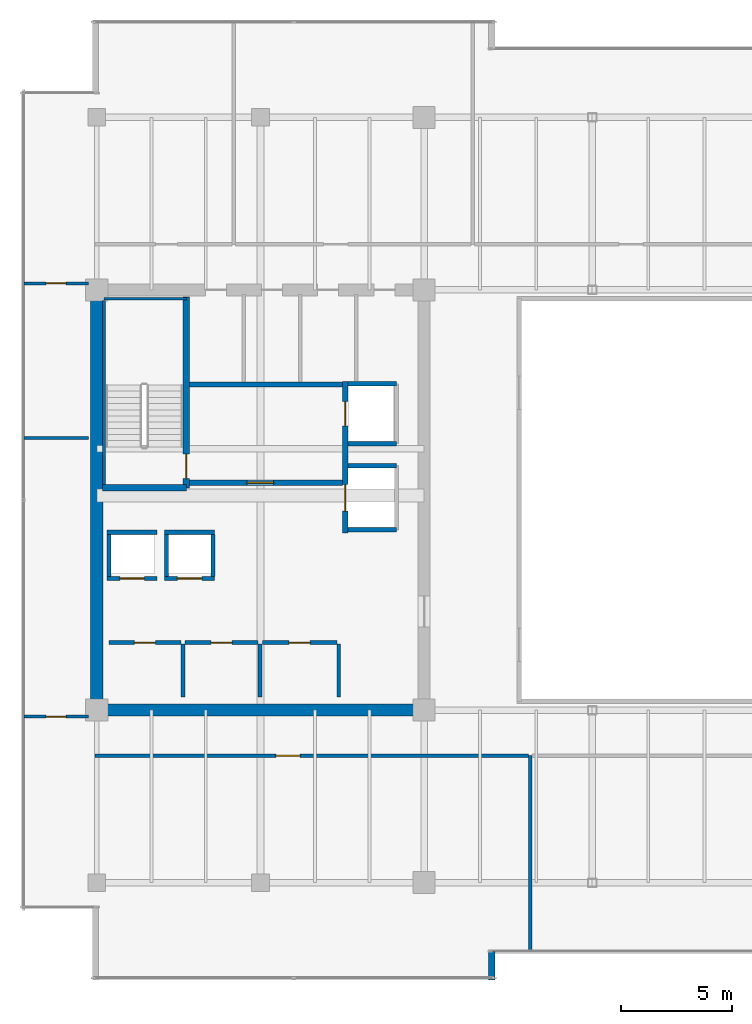
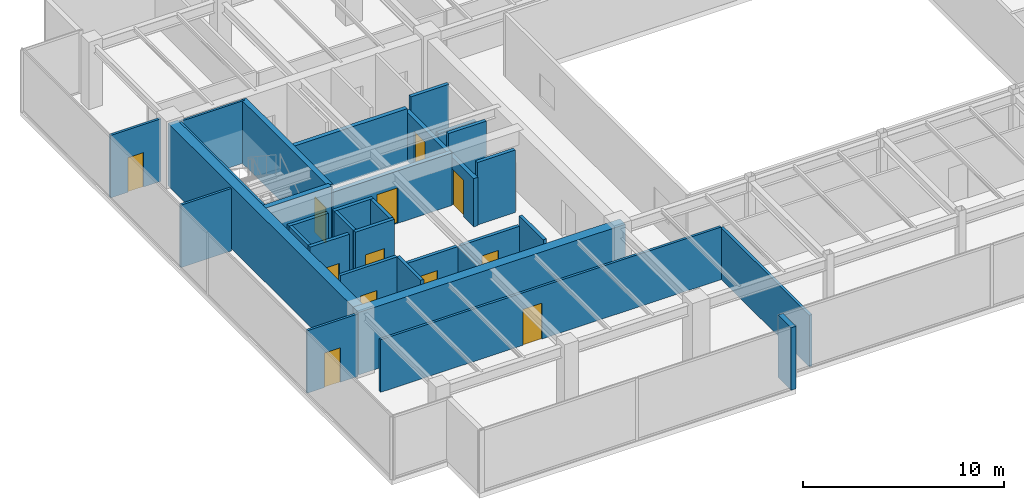
# One storey, part 28 of 33: 32 walls, 12 doors, 12 openings.
"""IFC4 building model written with IfcOpenShell, lengths in metres."""

import ifcopenshell
import ifcopenshell.guid

model = None  # the IFC model being written
_history = None  # IfcOwnerHistory: only IFC2X3 demands one
_inside = {}  # id of a spatial element -> (the spatial element, [elements in it])
_under = {}  # id of a project, library or spatial element -> (it, [spatial elements below it])
_declared = {}  # id of a project -> (the project, [libraries it declares])
_typed = {}  # id of a type object -> (the type object, [elements of that type])
_made_of = {}  # id of a material, layer set ... -> (it, [elements and type objects made of it])


def new_model(schema):
    """Start an empty IFC model of exactly this schema.

    Asked for "IFC4X3", IfcOpenShell would pick the latest addendum, in which some entities
    have other attributes; the version numbers below select the first issue.
    IFC2X3 requires an IfcOwnerHistory on every rooted entity: one is made here for all.
    """
    global model, _history
    if schema == "IFC4X3":
        model = ifcopenshell.file(schema_version=(4, 3, 0, 0))
    else:
        model = ifcopenshell.file(schema=schema)
    _inside.clear()
    _under.clear()
    _declared.clear()
    _typed.clear()
    _made_of.clear()
    _history = None
    if model.schema == "IFC2X3":
        org = make("IfcOrganization", Name="unknown")
        user = make(
            "IfcPersonAndOrganization",
            ThePerson=make("IfcPerson", FamilyName="unknown"),
            TheOrganization=org,
        )
        app = make(
            "IfcApplication",
            ApplicationDeveloper=org,
            Version="unknown",
            ApplicationFullName="unknown",
            ApplicationIdentifier="unknown",
        )
        _history = make(
            "IfcOwnerHistory",
            OwningUser=user,
            OwningApplication=app,
            ChangeAction="ADDED",
            CreationDate=0,
        )
    return model


def make(cls, **values):
    """One entity of the class cls with the attributes given. An attribute that is None is left unset."""
    return model.create_entity(
        cls, **{name: value for name, value in values.items() if value is not None}
    )


def rooted(cls, **values):
    """An entity with a GlobalId (a new one), such as an element, a storey or a relation."""
    return make(cls, GlobalId=ifcopenshell.guid.new(), OwnerHistory=_history, **values)


def si_unit(unit_type, name, prefix=None):
    """IfcSIUnit, for example si_unit("LENGTHUNIT", "METRE", prefix="MILLI")."""
    return make("IfcSIUnit", UnitType=unit_type, Prefix=prefix, Name=name)


def assignment(units):
    """IfcUnitAssignment: the units of a project."""
    return None if units is None else make("IfcUnitAssignment", Units=units)


def point(xyz):
    """IfcCartesianPoint."""
    return None if xyz is None else make("IfcCartesianPoint", Coordinates=xyz)


def direction(xyz):
    """IfcDirection."""
    return None if xyz is None else make("IfcDirection", DirectionRatios=xyz)


def frame(location, z_axis=None, x_axis=None):
    """IfcAxis2Placement3D, a coordinate frame: its origin and axes. An axis left out is left unset."""
    return make(
        "IfcAxis2Placement3D",
        Location=point(location),
        Axis=direction(z_axis),
        RefDirection=direction(x_axis),
    )


def frame_2d(location, x_axis=None):
    """IfcAxis2Placement2D, a coordinate frame in the plane: its origin and x axis."""
    return make(
        "IfcAxis2Placement2D", Location=point(location), RefDirection=direction(x_axis)
    )


def origin():
    """The frame at (0, 0, 0) with its axes left unset."""
    return frame((0.0, 0.0, 0.0))


def place(relative_to, where):
    """IfcLocalPlacement: puts the frame where relative to a parent placement (None: the world)."""
    return make(
        "IfcLocalPlacement", PlacementRelTo=relative_to, RelativePlacement=where
    )


def context(
    kind, dimensions, precision=None, world=None, true_north=None, identifier=None
):
    """IfcGeometricRepresentationContext, for example the 3D "Model" context."""
    return make(
        "IfcGeometricRepresentationContext",
        ContextIdentifier=identifier,
        ContextType=kind,
        CoordinateSpaceDimension=dimensions,
        Precision=precision,
        WorldCoordinateSystem=world,
        TrueNorth=true_north,
    )


def subcontext(parent, identifier, kind, view, scale=None):
    """IfcGeometricRepresentationSubContext, for example "Body" below "Model"."""
    return make(
        "IfcGeometricRepresentationSubContext",
        ContextIdentifier=identifier,
        ContextType=kind,
        ParentContext=parent,
        TargetScale=scale,
        TargetView=view,
    )


def project(units=None, contexts=None):
    """IfcProject with its units and contexts."""
    return rooted(
        "IfcProject",
        Name="project",
        RepresentationContexts=contexts,
        UnitsInContext=assignment(units),
    )


def spatial(cls, under=None, at=None, **own):
    """A site, building, storey or space (cls), placed at a placement, below another one or the project."""
    s = rooted(cls, ObjectPlacement=at, **own)
    if under is not None:
        _under.setdefault(under.id(), (under, []))[1].append(s)
    return s


def profile(cls, at=None, kind="AREA", **sizes):
    """A parametric profile (cls). Its sizes go by their IFC names, for example OverallWidth=200.0."""
    return make(cls, ProfileType=kind, Position=at, **sizes)


def rectangle(**sizes):
    """IfcRectangleProfileDef."""
    return profile("IfcRectangleProfileDef", **sizes)


def extrude(swept, where, along, depth):
    """IfcExtrudedAreaSolid: the profile swept, set in the frame where, extruded along a direction by depth."""
    return make(
        "IfcExtrudedAreaSolid",
        SweptArea=swept,
        Position=where,
        ExtrudedDirection=direction(along),
        Depth=depth,
    )


def shape(context_of_items, identifier, shape_type, items):
    """IfcShapeRepresentation: the items that make up one representation, for example the "Body"."""
    return make(
        "IfcShapeRepresentation",
        ContextOfItems=context_of_items,
        RepresentationIdentifier=identifier,
        RepresentationType=shape_type,
        Items=items,
    )


def source(mapping_origin, context_of_items, identifier, shape_type, items):
    """IfcRepresentationMap: a shape defined once, which mapped items show again and again."""
    return make(
        "IfcRepresentationMap",
        MappingOrigin=mapping_origin,
        MappedRepresentation=shape(context_of_items, identifier, shape_type, items),
    )


def transform(
    local_origin,
    x_axis=None,
    y_axis=None,
    z_axis=None,
    scale=None,
    scale2=None,
    scale3=None,
    uniform=True,
):
    """IfcCartesianTransformationOperator3D, or its non-uniform kind. x_axis, y_axis, z_axis: its Axis1, 2, 3."""
    if uniform:
        return make(
            "IfcCartesianTransformationOperator3D",
            Axis1=direction(x_axis),
            Axis2=direction(y_axis),
            LocalOrigin=point(local_origin),
            Scale=scale,
            Axis3=direction(z_axis),
        )
    return make(
        "IfcCartesianTransformationOperator3DnonUniform",
        Axis1=direction(x_axis),
        Axis2=direction(y_axis),
        LocalOrigin=point(local_origin),
        Scale=scale,
        Axis3=direction(z_axis),
        Scale2=scale2,
        Scale3=scale3,
    )


def mapped(mapping_source, mapping_target):
    """IfcMappedItem: shows the shape of a source again, moved by a transform."""
    return make(
        "IfcMappedItem", MappingSource=mapping_source, MappingTarget=mapping_target
    )


def material(Name=None, Category=None):
    """IfcMaterial."""
    return make("IfcMaterial", Name=Name, Category=Category)


def layer(
    of_material, thickness, ventilated=None, Name=None, Category=None, Priority=None
):
    """IfcMaterialLayer: one layer of a wall or slab, of a material (None: an air gap)."""
    return make(
        "IfcMaterialLayer",
        Material=of_material,
        LayerThickness=thickness,
        IsVentilated=ventilated,
        Name=Name,
        Category=Category,
        Priority=Priority,
    )


def layer_set(layers, Name=None):
    """IfcMaterialLayerSet."""
    return make("IfcMaterialLayerSet", MaterialLayers=layers, LayerSetName=Name)


def made_of(thing, what):
    """Note that an element or type object is made of a material, layer set ...; save() writes the relation."""
    if what is not None:
        _made_of.setdefault(what.id(), (what, []))[1].append(thing)
    return thing


def type_object(cls, material=None, **own):
    """A type object (cls), such as IfcWallType, which elements share."""
    return made_of(rooted(cls, **own), material)


def type_shapes(of_type, sources):
    """Give a type object the sources (RepresentationMaps) that its elements show as mapped items."""
    of_type.RepresentationMaps = sources


def element(
    cls,
    number,
    at=None,
    inside=None,
    cuts=None,
    type_object=None,
    material=None,
    context=None,
    identifier="Body",
    shape_type=None,
    held_by="IfcProductDefinitionShape",
    body=None,
    shapes=None,
    **own,
):
    """One element of the class cls, such as IfcWall. Its Tag is "e" and its number.

    at: its placement. inside: the storey or other place that contains it. cuts: it is an
    opening in that element (IfcRelVoidsElement). A single representation is given by context,
    identifier, shape_type and body (its items); several are given by shapes. held_by: the class
    of the entity that holds the representations. save() writes the other relations.
    """
    e = rooted(cls, Tag="e%d" % number, ObjectPlacement=at, **own)
    if body is not None:
        shapes = [shape(context, identifier, shape_type, body)]
    if shapes is not None:
        e.Representation = make(held_by, Representations=shapes)
    if inside is not None:
        _inside.setdefault(inside.id(), (inside, []))[1].append(e)
    if cuts is not None:
        rooted(
            "IfcRelVoidsElement", RelatingBuildingElement=cuts, RelatedOpeningElement=e
        )
    if type_object is not None:
        _typed.setdefault(type_object.id(), (type_object, []))[1].append(e)
    return made_of(e, material)


def fill(opening, filler):
    """IfcRelFillsElement: the door or window that sits in an opening."""
    return rooted(
        "IfcRelFillsElement",
        RelatingOpeningElement=opening,
        RelatedBuildingElement=filler,
    )


def aggregate(whole, parts):
    """IfcRelAggregates: a whole, such as a stair, and the parts it consists of."""
    return rooted("IfcRelAggregates", RelatingObject=whole, RelatedObjects=parts)


def save(model, path):
    """Write the relations noted so far, then the file.

    IfcRelAggregates (storeys below a building ...), IfcRelContainedInSpatialStructure (elements
    in a storey), IfcRelDefinesByType, IfcRelAssociatesMaterial and IfcRelDeclares: one each for
    every whole, place, type object, material and project.
    """
    for whole, parts in _under.values():
        aggregate(whole, parts)
    for where, things in _inside.values():
        rooted(
            "IfcRelContainedInSpatialStructure",
            RelatedElements=things,
            RelatingStructure=where,
        )
    for kind, things in _typed.values():
        rooted("IfcRelDefinesByType", RelatedObjects=things, RelatingType=kind)
    for what, things in _made_of.values():
        rooted("IfcRelAssociatesMaterial", RelatedObjects=things, RelatingMaterial=what)
    for by, libraries in _declared.values():
        rooted("IfcRelDeclares", RelatingContext=by, RelatedDefinitions=libraries)
    model.write(path)


model = new_model("IFC4")

# Units and contexts
model_context = context("Model", 3, precision=1e-05, world=origin(), true_north=direction((0.0, 1.0)))
body_context = subcontext(model_context, "Body", "Model", "MODEL_VIEW")
ifc_project = project(units=[si_unit("LENGTHUNIT", "METRE"), si_unit("AREAUNIT", "SQUARE_METRE"), si_unit("VOLUMEUNIT", "CUBIC_METRE"), si_unit("PLANEANGLEUNIT", "RADIAN"), si_unit("MASSUNIT", "GRAM", prefix="KILO")], contexts=[model_context])

# Site, building, storey
site_placement = place(None, origin())
site = spatial("IfcSite", under=ifc_project, at=site_placement, CompositionType="ELEMENT")
building_placement = place(site_placement, origin())
building = spatial("IfcBuilding", under=site, at=building_placement, Name="Haelvirn Gate Laboratories", CompositionType="ELEMENT")
storey_placement = place(building_placement, frame((0.0, 0.0, 275.199951171875)))
storey = spatial("IfcBuildingStorey", under=building, at=storey_placement, Name="L66", CompositionType="ELEMENT", Elevation=275.199951171875)

# Walls
ifc_material_1 = material(Name="Thermally-broken bronze aluminium rainscreen & mineral wool", Category="aluminium")
ifc_layer_1 = layer(ifc_material_1, 0.280029296875, Name="EW-TERR-280")
ifc_layer_set_1 = layer_set([ifc_layer_1], Name="Thermally-broken bronze aluminium rainscreen & mineral wool")
wall_type_1 = type_object("IfcWallType", Name="EW-TERR-280", PredefinedType="STANDARD", material=ifc_layer_set_1)
wall_1_placement = place(storey_placement, frame((25.260009765625, 2.60009765625, 0.0), z_axis=(0.0, 0.0, 1.0), x_axis=(0.0, 1.0, 0.0)))
element("IfcWall", 1, at=wall_1_placement, inside=storey, type_object=wall_type_1, Name="L66 Atrium Recess Bronze Return Wall 01", PredefinedType="STANDARD", context=body_context, shape_type="SweptSolid", body=[
    extrude(rectangle(XDim=1.29296875, YDim=0.280029296875, at=frame_2d((0.646484375, 0.0))), origin(), (0.0, 0.0, 1.0), 3.800048828125),
])
ifc_material_2 = material(Name="Double-layer acoustic gypsum laboratory partition", Category="gypsum")
ifc_layer_2 = layer(ifc_material_2, 0.159912109375, Name="IW-ACOUST-160")
ifc_layer_set_2 = layer_set([ifc_layer_2], Name="Double-layer acoustic gypsum laboratory partition")
wall_type_2 = type_object("IfcWallType", Name="IW-ACOUST-160", PredefinedType="PARTITIONING", material=ifc_layer_set_2)
wall_2_placement = place(storey_placement, frame((27.0, 3.909912109375, 0.0), z_axis=(0.0, 0.0, 1.0), x_axis=(0.0, 1.0, 0.0)))
element("IfcWall", 2, at=wall_2_placement, inside=storey, type_object=wall_type_2, Name="L66 Interior Wall IW-L66-SDIV-01", PredefinedType="PARTITIONING", context=body_context, shape_type="SweptSolid", body=[
    extrude(rectangle(XDim=8.830078125, YDim=0.159912109375, at=frame_2d((4.4150390625, 0.0))), origin(), (0.0, 0.0, 1.0), 3.135009765625),
])

# Wall, opening, door
ifc_material_3 = material(Name="Acoustic mineral-wool gypsum board partition", Category="gypsum")
ifc_layer_3 = layer(ifc_material_3, 0.139892578125, Name="IW-PART-140")
ifc_layer_set_3 = layer_set([ifc_layer_3], Name="Acoustic mineral-wool gypsum board partition")
wall_type_3 = type_object("IfcWallType", Name="IW-PART-140", PredefinedType="PARTITIONING", material=ifc_layer_set_3)
wall_3_placement = place(storey_placement, frame((7.31005859375, 12.739990234375, 0.0), z_axis=(0.0, 0.0, 1.0), x_axis=(1.0, 0.0, 0.0)))
wall_3 = element("IfcWall", 3, at=wall_3_placement, inside=storey, type_object=wall_type_3, Name="L66 Interior Wall IW-L66-SCORR-01", PredefinedType="PARTITIONING", context=body_context, shape_type="SweptSolid", body=[
    extrude(rectangle(XDim=19.60986328125, YDim=0.139892578125, at=frame_2d((9.804931640625, 0.0))), origin(), (0.0, 0.0, 1.0), 3.197021484375),
])
opening_1_placement = place(wall_3_placement, frame((8.186279296875, 0.0, 0.0)))
opening_1 = element("IfcOpeningElement", 4, at=opening_1_placement, cuts=wall_3, Name="Opening D1", PredefinedType="OPENING", context=body_context, shape_type="SweptSolid", body=[
    extrude(rectangle(XDim=1.10009765625, YDim=2.179931640625, at=frame_2d((0.550048828125, 1.08984375))), frame((0.0, 0.080078125, 0.0), z_axis=(0.0, -1.0, 0.0), x_axis=(1.0, 0.0, 0.0)), (0.0, 0.0, 1.0), 0.159912109375),
])
ifc_material_4 = material(Name="Vision-panel acoustic solid-core timber lab door", Category="wood")
door_type_1 = type_object("IfcDoorType", Name="DR-LAB-1100", OperationType="NOTDEFINED", PredefinedType="DOOR", material=ifc_material_4)
shared_shape_1 = source(origin(), body_context, "Body", "SweptSolid", [
    extrude(rectangle(XDim=1.10009765625, YDim=2.179931640625, at=frame_2d((0.550048828125, 1.08984375))), frame((0.0, 0.02490234375, 0.0), z_axis=(0.0, -1.0, 0.0), x_axis=(1.0, 0.0, 0.0)), (0.0, 0.0, 1.0), 0.050048828125),
])
type_shapes(door_type_1, [shared_shape_1])
door_1_placement = place(opening_1_placement, origin())
door_1 = element("IfcDoor", 5, at=door_1_placement, inside=storey, type_object=door_type_1, Name="L66 Translational Data Office Door S1", OperationType="SINGLE_SWING_LEFT", OverallHeight=2.179931640625, OverallWidth=1.10009765625, PredefinedType="DOOR", context=body_context, shape_type="MappedRepresentation", body=[
    mapped(shared_shape_1, transform((0.0, 0.0, 0.0), scale=1.0)),
])
fill(opening_1, door_1)

# Wall
wall_4_placement = place(storey_placement, frame((4.110107421875, 27.10009765625, 0.0), z_axis=(0.0, 0.0, 1.0), x_axis=(1.0, 0.0, 0.0)))
element("IfcWall", 6, at=wall_4_placement, inside=storey, type_object=wall_type_3, Name="L66 Interior Wall IW-L66-WZ3-MID", PredefinedType="PARTITIONING", context=body_context, shape_type="SweptSolid", body=[
    extrude(rectangle(XDim=2.909912109375, YDim=0.139892578125, at=frame_2d((1.455078125, 0.0))), origin(), (0.0, 0.0, 1.0), 3.800048828125),
])

# Wall, opening, door
wall_5_placement = place(storey_placement, frame((4.110107421875, 14.5048828125, 0.0), z_axis=(0.0, 0.0, 1.0), x_axis=(1.0, 0.0, 0.0)))
wall_5 = element("IfcWall", 7, at=wall_5_placement, inside=storey, type_object=wall_type_3, Name="L66 Interior Wall IW-L66-WZ3-ENT-S", PredefinedType="PARTITIONING", context=body_context, shape_type="SweptSolid", body=[
    extrude(rectangle(XDim=2.909912109375, YDim=0.139892578125, at=frame_2d((1.455078125, 0.0))), origin(), (0.0, 0.0, 1.0), 3.800048828125),
])
opening_2_placement = place(wall_5_placement, frame((1.0048828125, 0.0, 0.0)))
opening_2 = element("IfcOpeningElement", 8, at=opening_2_placement, cuts=wall_5, Name="Opening D4", PredefinedType="OPENING", context=body_context, shape_type="SweptSolid", body=[
    extrude(rectangle(XDim=0.89990234375, YDim=2.10009765625, at=frame_2d((0.449951171875, 1.050048828125))), frame((0.0, 0.080078125, 0.0), z_axis=(0.0, -1.0, 0.0), x_axis=(1.0, 0.0, 0.0)), (0.0, 0.0, 1.0), 0.159912109375),
])
ifc_material_5 = material(Name="Glazed aluminium-framed write-up door", Category="aluminium")
door_type_2 = type_object("IfcDoorType", Name="DR-OFF-900", OperationType="NOTDEFINED", PredefinedType="DOOR", material=ifc_material_5)
shared_shape_2 = source(origin(), body_context, "Body", "SweptSolid", [
    extrude(rectangle(XDim=0.89990234375, YDim=2.10009765625, at=frame_2d((0.449951171875, 1.050048828125))), frame((0.0, 0.02490234375, 0.0), z_axis=(0.0, -1.0, 0.0), x_axis=(1.0, 0.0, 0.0)), (0.0, 0.0, 1.0), 0.050048828125),
])
type_shapes(door_type_2, [shared_shape_2])
door_2_placement = place(opening_2_placement, origin())
door_2 = element("IfcDoor", 9, at=door_2_placement, inside=storey, type_object=door_type_2, Name="L66 Floor Hydration & Tea Servery Door W-S", OperationType="SINGLE_SWING_LEFT", OverallHeight=2.10009765625, OverallWidth=0.89990234375, PredefinedType="DOOR", context=body_context, shape_type="MappedRepresentation", body=[
    mapped(shared_shape_2, transform((0.0, 0.0, 0.0), scale=1.0)),
])
fill(opening_2, door_2)

wall_6_placement = place(storey_placement, frame((4.110107421875, 34.094970703125, 0.0), z_axis=(0.0, 0.0, 1.0), x_axis=(1.0, 0.0, 0.0)))
wall_6 = element("IfcWall", 10, at=wall_6_placement, inside=storey, type_object=wall_type_3, Name="L66 Interior Wall IW-L66-WZ3-ENT-N", PredefinedType="PARTITIONING", context=body_context, shape_type="SweptSolid", body=[
    extrude(rectangle(XDim=2.909912109375, YDim=0.139892578125, at=frame_2d((1.455078125, 0.0))), origin(), (0.0, 0.0, 1.0), 3.800048828125),
])
opening_3_placement = place(wall_6_placement, frame((1.0048828125, 0.0, 0.0)))
opening_3 = element("IfcOpeningElement", 11, at=opening_3_placement, cuts=wall_6, Name="Opening D4", PredefinedType="OPENING", context=body_context, shape_type="SweptSolid", body=[
    extrude(rectangle(XDim=0.89990234375, YDim=2.10009765625, at=frame_2d((0.449951171875, 1.050048828125))), frame((0.0, 0.080078125, 0.0), z_axis=(0.0, -1.0, 0.0), x_axis=(1.0, 0.0, 0.0)), (0.0, 0.0, 1.0), 0.159912109375),
])
door_3_placement = place(opening_3_placement, origin())
door_3 = element("IfcDoor", 12, at=door_3_placement, inside=storey, type_object=door_type_2, Name="L66 Floor Hydration & Tea Servery Door W-N", OperationType="SINGLE_SWING_RIGHT", OverallHeight=2.10009765625, OverallWidth=0.89990234375, PredefinedType="DOOR", context=body_context, shape_type="MappedRepresentation", body=[
    mapped(shared_shape_2, transform((0.0, 0.0, 0.0), scale=1.0)),
])
fill(opening_3, door_3)

# Walls
ifc_material_6 = material(Name="Concrete C40/50", Category="concrete")
ifc_layer_4 = layer(ifc_material_6, 0.179931640625, Name="IW-SHAFT-180")
ifc_layer_set_4 = layer_set([ifc_layer_4], Name="Concrete C40/50")
wall_type_4 = type_object("IfcWallType", Name="IW-SHAFT-180", PredefinedType="SOLIDWALL", material=ifc_layer_set_4)
for number, where, z_axis, x_axis, name in (
    (13, (7.949951171875, 20.85009765625, 0.0), (0.0, 0.0, 1.0), (0.0, 1.0, 0.0), "L66 Interior Wall IW-L66-PL9-SD"),
    (14, (10.550048828125, 20.85009765625, 0.0), (0.0, 0.0, 1.0), (0.0, 1.0, 0.0), "L66 Interior Wall IW-L66-PL10-SD"),
    (15, (12.64990234375, 20.85009765625, 0.0), (0.0, 0.0, 1.0), (0.0, 1.0, 0.0), "L66 Interior Wall IW-L66-PL10-SDE"),
):
    element("IfcWall", number, at=place(storey_placement, frame(where, z_axis=z_axis, x_axis=x_axis)), inside=storey, type_object=wall_type_4, Name=name, PredefinedType="SOLIDWALL", context=body_context, shape_type="SweptSolid", body=[
        extrude(rectangle(XDim=1.89990234375, YDim=0.179931640625, at=frame_2d((0.949951171875, 0.0))), origin(), (0.0, 0.0, 1.0), 3.800048828125),
    ])

# Wall, opening, door
wall_7_placement = place(storey_placement, frame((7.949951171875, 17.85009765625, 0.0), z_axis=(0.0, 0.0, 1.0), x_axis=(1.0, 0.0, 0.0)))
wall_7 = element("IfcWall", 16, at=wall_7_placement, inside=storey, type_object=wall_type_4, Name="L66 Interior Wall IW-L66-W-FREED-HN-1", PredefinedType="SOLIDWALL", context=body_context, shape_type="SweptSolid", body=[
    extrude(rectangle(XDim=3.25, YDim=0.179931640625, at=frame_2d((1.625, 0.0))), origin(), (0.0, 0.0, 1.0), 3.800048828125),
])
opening_4_placement = place(wall_7_placement, frame((1.14990234375, 0.0, 0.0)))
opening_4 = element("IfcOpeningElement", 17, at=opening_4_placement, cuts=wall_7, Name="Opening FD4", PredefinedType="OPENING", context=body_context, shape_type="SweptSolid", body=[
    extrude(rectangle(XDim=0.949951171875, YDim=2.14990234375, at=frame_2d((0.47509765625, 1.074951171875))), frame((0.0, 0.10009765625, 0.0), z_axis=(0.0, -1.0, 0.0), x_axis=(1.0, 0.0, 0.0)), (0.0, 0.0, 1.0), 0.199951171875),
])
ifc_material_7 = material(Name="Fire-rated steel SM355 core service door", Category="steel")
door_type_3 = type_object("IfcDoorType", Name="DR-FD-950", OperationType="NOTDEFINED", PredefinedType="DOOR", material=ifc_material_7)
shared_shape_3 = source(origin(), body_context, "Body", "SweptSolid", [
    extrude(rectangle(XDim=0.949951171875, YDim=2.14990234375, at=frame_2d((0.47509765625, 1.074951171875))), frame((0.0, 0.02490234375, 0.0), z_axis=(0.0, -1.0, 0.0), x_axis=(1.0, 0.0, 0.0)), (0.0, 0.0, 1.0), 0.050048828125),
])
type_shapes(door_type_3, [shared_shape_3])
door_4_placement = place(opening_4_placement, origin())
door_4 = element("IfcDoor", 18, at=door_4_placement, inside=storey, type_object=door_type_3, Name="L66 Autoclave Bio-Prep Room Door", OperationType="SINGLE_SWING_LEFT", OverallHeight=2.14990234375, OverallWidth=0.949951171875, PredefinedType="DOOR", context=body_context, shape_type="MappedRepresentation", body=[
    mapped(shared_shape_3, transform((0.0, 0.0, 0.0), scale=1.0)),
])
fill(opening_4, door_4)

# Wall
wall_8_placement = place(storey_placement, frame((11.2900390625, 15.39990234375, 0.0), z_axis=(0.0, 0.0, 1.0), x_axis=(0.0, 1.0, 0.0)))
element("IfcWall", 19, at=wall_8_placement, inside=storey, type_object=wall_type_4, Name="L66 Interior Wall IW-L66-W-FREED-HE-1", PredefinedType="SOLIDWALL", context=body_context, shape_type="SweptSolid", body=[
    extrude(rectangle(XDim=2.400146484375, YDim=0.179931640625, at=frame_2d((1.2001953125, 0.0))), origin(), (0.0, 0.0, 1.0), 3.800048828125),
])

# Wall, opening, door
wall_9_placement = place(storey_placement, frame((11.39990234375, 17.85009765625, 0.0), z_axis=(0.0, 0.0, 1.0), x_axis=(1.0, 0.0, 0.0)))
wall_9 = element("IfcWall", 20, at=wall_9_placement, inside=storey, type_object=wall_type_4, Name="L66 Interior Wall IW-L66-W-FREED-HN-2", PredefinedType="SOLIDWALL", context=body_context, shape_type="SweptSolid", body=[
    extrude(rectangle(XDim=3.300048828125, YDim=0.179931640625, at=frame_2d((1.64990234375, 0.0))), origin(), (0.0, 0.0, 1.0), 3.197021484375),
])
opening_5_placement = place(wall_9_placement, frame((1.175048828125, 0.0, 0.0)))
opening_5 = element("IfcOpeningElement", 21, at=opening_5_placement, cuts=wall_9, Name="Opening FD4", PredefinedType="OPENING", context=body_context, shape_type="SweptSolid", body=[
    extrude(rectangle(XDim=0.949951171875, YDim=2.14990234375, at=frame_2d((0.47509765625, 1.074951171875))), frame((0.0, 0.10009765625, 0.0), z_axis=(0.0, -1.0, 0.0), x_axis=(1.0, 0.0, 0.0)), (0.0, 0.0, 1.0), 0.199951171875),
])
door_5_placement = place(opening_5_placement, origin())
door_5 = element("IfcDoor", 22, at=door_5_placement, inside=storey, type_object=door_type_3, Name="L66 Telemetry Analytics Room Door", OperationType="SINGLE_SWING_RIGHT", OverallHeight=2.14990234375, OverallWidth=0.949951171875, PredefinedType="DOOR", context=body_context, shape_type="MappedRepresentation", body=[
    mapped(shared_shape_3, transform((0.0, 0.0, 0.0), scale=1.0)),
])
fill(opening_5, door_5)

# Wall
wall_10_placement = place(storey_placement, frame((14.7900390625, 15.39990234375, 0.0), z_axis=(0.0, 0.0, 1.0), x_axis=(0.0, 1.0, 0.0)))
element("IfcWall", 23, at=wall_10_placement, inside=storey, type_object=wall_type_4, Name="L66 Interior Wall IW-L66-W-FREED-HE-2", PredefinedType="SOLIDWALL", context=body_context, shape_type="SweptSolid", body=[
    extrude(rectangle(XDim=2.400146484375, YDim=0.179931640625, at=frame_2d((1.2001953125, 0.0))), origin(), (0.0, 0.0, 1.0), 3.197021484375),
])

# Wall, opening, door
wall_11_placement = place(storey_placement, frame((14.89990234375, 17.85009765625, 0.0), z_axis=(0.0, 0.0, 1.0), x_axis=(1.0, 0.0, 0.0)))
wall_11 = element("IfcWall", 24, at=wall_11_placement, inside=storey, type_object=wall_type_4, Name="L66 Interior Wall IW-L66-W-FREED-HN-3", PredefinedType="SOLIDWALL", context=body_context, shape_type="SweptSolid", body=[
    extrude(rectangle(XDim=3.35009765625, YDim=0.179931640625, at=frame_2d((1.675048828125, 0.0))), origin(), (0.0, 0.0, 1.0), 3.197021484375),
])
opening_6_placement = place(wall_11_placement, frame((1.199951171875, 0.0, 0.0)))
opening_6 = element("IfcOpeningElement", 25, at=opening_6_placement, cuts=wall_11, Name="Opening FD4", PredefinedType="OPENING", context=body_context, shape_type="SweptSolid", body=[
    extrude(rectangle(XDim=0.949951171875, YDim=2.14990234375, at=frame_2d((0.47509765625, 1.074951171875))), frame((0.0, 0.10009765625, 0.0), z_axis=(0.0, -1.0, 0.0), x_axis=(1.0, 0.0, 0.0)), (0.0, 0.0, 1.0), 0.199951171875),
])
door_6_placement = place(opening_6_placement, origin())
door_6 = element("IfcDoor", 26, at=door_6_placement, inside=storey, type_object=door_type_3, Name="L66 Calibration Metrology Room Door", OperationType="SINGLE_SWING_LEFT", OverallHeight=2.14990234375, OverallWidth=0.949951171875, PredefinedType="DOOR", context=body_context, shape_type="MappedRepresentation", body=[
    mapped(shared_shape_3, transform((0.0, 0.0, 0.0), scale=1.0)),
])
fill(opening_6, door_6)

# Wall
wall_12_placement = place(storey_placement, frame((18.340087890625, 15.39990234375, 0.0), z_axis=(0.0, 0.0, 1.0), x_axis=(0.0, 1.0, 0.0)))
element("IfcWall", 27, at=wall_12_placement, inside=storey, type_object=wall_type_4, Name="L66 Interior Wall IW-L66-W-FREED-HE-3", PredefinedType="SOLIDWALL", context=body_context, shape_type="SweptSolid", body=[
    extrude(rectangle(XDim=2.400146484375, YDim=0.179931640625, at=frame_2d((1.2001953125, 0.0))), origin(), (0.0, 0.0, 1.0), 3.800048828125),
])

# Wall, opening, door
ifc_layer_5 = layer(ifc_material_6, 0.199951171875, Name="IW-SHAFT-200")
ifc_layer_set_5 = layer_set([ifc_layer_5], Name="Concrete C40/50")
wall_type_5 = type_object("IfcWallType", Name="IW-SHAFT-200", PredefinedType="SOLIDWALL", material=ifc_layer_set_5)
wall_13_placement = place(storey_placement, frame((7.8701171875, 20.75, 0.0), z_axis=(0.0, 0.0, 1.0), x_axis=(1.0, 0.0, 0.0)))
wall_13 = element("IfcWall", 28, at=wall_13_placement, inside=storey, type_object=wall_type_5, Name="L66 Interior Wall IW-L66-PL9-FR", PredefinedType="SOLIDWALL", context=body_context, shape_type="SweptSolid", body=[
    extrude(rectangle(XDim=2.259765625, YDim=0.199951171875, at=frame_2d((1.1298828125, 0.0))), origin(), (0.0, 0.0, 1.0), 3.800048828125),
])
opening_7_placement = place(wall_13_placement, frame((0.580078125, 0.0, 0.0)))
opening_7 = element("IfcOpeningElement", 29, at=opening_7_placement, cuts=wall_13, Name="Opening LD2", PredefinedType="OPENING", context=body_context, shape_type="SweptSolid", body=[
    extrude(rectangle(XDim=1.10009765625, YDim=2.219970703125, at=frame_2d((0.550048828125, 1.10986328125))), frame((0.0, 0.10986328125, 0.0), z_axis=(0.0, -1.0, 0.0), x_axis=(1.0, 0.0, 0.0)), (0.0, 0.0, 1.0), 0.219970703125),
])
ifc_material_8 = material(Name="Bronze stainless 316L sliding lift landing door")
door_type_4 = type_object("IfcDoorType", Name="DR-LD-1100", OperationType="NOTDEFINED", PredefinedType="USERDEFINED", material=ifc_material_8)
shared_shape_4 = source(origin(), body_context, "Body", "SweptSolid", [
    extrude(rectangle(XDim=1.10009765625, YDim=2.219970703125, at=frame_2d((0.550048828125, 1.10986328125))), frame((0.0, 0.02490234375, 0.0), z_axis=(0.0, -1.0, 0.0), x_axis=(1.0, 0.0, 0.0)), (0.0, 0.0, 1.0), 0.050048828125),
])
type_shapes(door_type_4, [shared_shape_4])
door_7_placement = place(opening_7_placement, origin())
door_7 = element("IfcDoor", 30, at=door_7_placement, inside=storey, type_object=door_type_4, Name="L66 Passenger Lift PL9 Landing Door", ObjectType="LANDING_DOOR", OperationType="SLIDING_TO_LEFT", OverallHeight=2.219970703125, OverallWidth=1.10009765625, PredefinedType="USERDEFINED", context=body_context, shape_type="MappedRepresentation", body=[
    mapped(shared_shape_4, transform((0.0, 0.0, 0.0), scale=1.0)),
])
fill(opening_7, door_7)

# Wall
wall_14_placement = place(storey_placement, frame((7.8701171875, 22.85009765625, 0.0), z_axis=(0.0, 0.0, 1.0), x_axis=(1.0, 0.0, 0.0)))
element("IfcWall", 31, at=wall_14_placement, inside=storey, type_object=wall_type_5, Name="L66 Interior Wall IW-L66-PL9-BK", PredefinedType="SOLIDWALL", context=body_context, shape_type="SweptSolid", body=[
    extrude(rectangle(XDim=2.259765625, YDim=0.199951171875, at=frame_2d((1.1298828125, 0.0))), origin(), (0.0, 0.0, 1.0), 3.800048828125),
])

# Wall, opening, door
wall_15_placement = place(storey_placement, frame((10.469970703125, 20.75, 0.0), z_axis=(0.0, 0.0, 1.0), x_axis=(1.0, 0.0, 0.0)))
wall_15 = element("IfcWall", 32, at=wall_15_placement, inside=storey, type_object=wall_type_5, Name="L66 Interior Wall IW-L66-PL10-FR", PredefinedType="SOLIDWALL", context=body_context, shape_type="SweptSolid", body=[
    extrude(rectangle(XDim=2.260009765625, YDim=0.199951171875, at=frame_2d((1.1298828125, 0.0))), origin(), (0.0, 0.0, 1.0), 3.800048828125),
])
opening_8_placement = place(wall_15_placement, frame((0.580078125, 0.0, 0.0)))
opening_8 = element("IfcOpeningElement", 33, at=opening_8_placement, cuts=wall_15, Name="Opening LD2", PredefinedType="OPENING", context=body_context, shape_type="SweptSolid", body=[
    extrude(rectangle(XDim=1.10009765625, YDim=2.219970703125, at=frame_2d((0.550048828125, 1.10986328125))), frame((0.0, 0.10986328125, 0.0), z_axis=(0.0, -1.0, 0.0), x_axis=(1.0, 0.0, 0.0)), (0.0, 0.0, 1.0), 0.219970703125),
])
door_8_placement = place(opening_8_placement, origin())
door_8 = element("IfcDoor", 34, at=door_8_placement, inside=storey, type_object=door_type_4, Name="L66 Passenger Lift PL10 Landing Door", ObjectType="LANDING_DOOR", OperationType="SLIDING_TO_RIGHT", OverallHeight=2.219970703125, OverallWidth=1.10009765625, PredefinedType="USERDEFINED", context=body_context, shape_type="MappedRepresentation", body=[
    mapped(shared_shape_4, transform((0.0, 0.0, 0.0), scale=1.0)),
])
fill(opening_8, door_8)

# Walls
wall_16_placement = place(storey_placement, frame((10.469970703125, 22.85009765625, 0.0), z_axis=(0.0, 0.0, 1.0), x_axis=(1.0, 0.0, 0.0)))
element("IfcWall", 35, at=wall_16_placement, inside=storey, type_object=wall_type_5, Name="L66 Interior Wall IW-L66-PL10-BK", PredefinedType="SOLIDWALL", context=body_context, shape_type="SweptSolid", body=[
    extrude(rectangle(XDim=2.260009765625, YDim=0.199951171875, at=frame_2d((1.1298828125, 0.0))), origin(), (0.0, 0.0, 1.0), 3.800048828125),
])
wall_17_placement = place(storey_placement, frame((18.760009765625, 29.550048828125, 0.0), z_axis=(0.0, 0.0, 1.0), x_axis=(1.0, 0.0, 0.0)))
element("IfcWall", 36, at=wall_17_placement, inside=storey, type_object=wall_type_5, Name="L66 Interior Wall IW-L66-FL1-N", PredefinedType="SOLIDWALL", context=body_context, shape_type="SweptSolid", body=[
    extrude(rectangle(XDim=2.18994140625, YDim=0.199951171875, at=frame_2d((1.094970703125, 0.0))), origin(), (0.0, 0.0, 1.0), 3.800048828125),
])
wall_18_placement = place(storey_placement, frame((18.760009765625, 26.85009765625, 0.0), z_axis=(0.0, 0.0, 1.0), x_axis=(1.0, 0.0, 0.0)))
element("IfcWall", 37, at=wall_18_placement, inside=storey, type_object=wall_type_5, Name="L66 Interior Wall IW-L66-FL1-S", PredefinedType="SOLIDWALL", context=body_context, shape_type="SweptSolid", body=[
    extrude(rectangle(XDim=2.18994140625, YDim=0.199951171875, at=frame_2d((1.094970703125, 0.0))), origin(), (0.0, 0.0, 1.0), 3.197021484375),
])
for number, where, z_axis, x_axis, name in (
    (38, (18.760009765625, 25.85009765625, 0.0), (0.0, 0.0, 1.0), (1.0, 0.0, 0.0), "L66 Interior Wall IW-L66-SL1-N"),
    (39, (18.760009765625, 22.949951171875, 0.0), (0.0, 0.0, 1.0), (1.0, 0.0, 0.0), "L66 Interior Wall IW-L66-SL1-S"),
):
    element("IfcWall", number, at=place(storey_placement, frame(where, z_axis=z_axis, x_axis=x_axis)), inside=storey, type_object=wall_type_5, Name=name, PredefinedType="SOLIDWALL", context=body_context, shape_type="SweptSolid", body=[
        extrude(rectangle(XDim=2.18994140625, YDim=0.199951171875, at=frame_2d((1.094970703125, 0.0))), origin(), (0.0, 0.0, 1.0), 3.800048828125),
    ])

# Wall, opening, door
ifc_layer_6 = layer(ifc_material_6, 0.239990234375, Name="IW-SHAFT-240")
ifc_layer_set_6 = layer_set([ifc_layer_6], Name="Concrete C40/50")
wall_type_6 = type_object("IfcWallType", Name="IW-SHAFT-240", PredefinedType="SOLIDWALL", material=ifc_layer_set_6)
wall_19_placement = place(storey_placement, frame((11.60009765625, 25.080078125, 0.0), z_axis=(0.0, 0.0, 1.0), x_axis=(1.0, 0.0, 0.0)))
wall_19 = element("IfcWall", 40, at=wall_19_placement, inside=storey, type_object=wall_type_6, Name="L66 Interior Wall IW-L66-W-FF-S", PredefinedType="SOLIDWALL", context=body_context, shape_type="SweptSolid", body=[
    extrude(rectangle(XDim=6.919921875, YDim=0.239990234375, at=frame_2d((3.4599609375, 0.0))), origin(), (0.0, 0.0, 1.0), 3.197021484375),
])
opening_9_placement = place(wall_19_placement, frame((2.60009765625, 0.0, 0.0)))
opening_9 = element("IfcOpeningElement", 41, at=opening_9_placement, cuts=wall_19, Name="Opening FD2", PredefinedType="OPENING", context=body_context, shape_type="SweptSolid", body=[
    extrude(rectangle(XDim=1.199951171875, YDim=2.159912109375, at=frame_2d((0.60009765625, 1.080078125))), frame((0.0, 0.1298828125, 0.0), z_axis=(0.0, -1.0, 0.0), x_axis=(1.0, 0.0, 0.0)), (0.0, 0.0, 1.0), 0.260009765625),
])
ifc_material_9 = material(Name="Fire-rated steel SM355 compartment door", Category="steel")
door_type_5 = type_object("IfcDoorType", Name="DR-FD-1200", OperationType="NOTDEFINED", PredefinedType="DOOR", material=ifc_material_9)
shared_shape_5 = source(origin(), body_context, "Body", "SweptSolid", [
    extrude(rectangle(XDim=1.199951171875, YDim=2.159912109375, at=frame_2d((0.60009765625, 1.080078125))), frame((0.0, 0.02490234375, 0.0), z_axis=(0.0, -1.0, 0.0), x_axis=(1.0, 0.0, 0.0)), (0.0, 0.0, 1.0), 0.050048828125),
])
type_shapes(door_type_5, [shared_shape_5])
door_9_placement = place(opening_9_placement, origin())
door_9 = element("IfcDoor", 42, at=door_9_placement, inside=storey, type_object=door_type_5, Name="L66 West Firefighting Lobby Door", OperationType="SINGLE_SWING_RIGHT", OverallHeight=2.159912109375, OverallWidth=1.199951171875, PredefinedType="DOOR", context=body_context, shape_type="MappedRepresentation", body=[
    mapped(shared_shape_5, transform((0.0, 0.0, 0.0), scale=1.0)),
])
fill(opening_9, door_9)

# Wall
wall_20_placement = place(storey_placement, frame((11.60009765625, 29.52001953125, 0.0), z_axis=(0.0, 0.0, 1.0), x_axis=(1.0, 0.0, 0.0)))
element("IfcWall", 43, at=wall_20_placement, inside=storey, type_object=wall_type_6, Name="L66 Interior Wall IW-L66-W-FF-N", PredefinedType="SOLIDWALL", context=body_context, shape_type="SweptSolid", body=[
    extrude(rectangle(XDim=6.919921875, YDim=0.239990234375, at=frame_2d((3.4599609375, 0.0))), origin(), (0.0, 0.0, 1.0), 3.197021484375),
])

# Wall, openings, doors
wall_21_placement = place(storey_placement, frame((18.639892578125, 22.800048828125, 0.0), z_axis=(0.0, 0.0, 1.0), x_axis=(0.0, 1.0, 0.0)))
wall_21 = element("IfcWall", 44, at=wall_21_placement, inside=storey, type_object=wall_type_6, Name="L66 Interior Wall IW-L66-W-FF-E", PredefinedType="SOLIDWALL", context=body_context, shape_type="SweptSolid", body=[
    extrude(rectangle(XDim=6.849853515625, YDim=0.239990234375, at=frame_2d((3.4248046875, 0.0))), origin(), (0.0, 0.0, 1.0), 2.93505859375),
])
opening_10_placement = place(wall_21_placement, frame((4.85009765625, 0.0, 0.0)))
opening_10 = element("IfcOpeningElement", 45, at=opening_10_placement, cuts=wall_21, Name="Opening LD2", PredefinedType="OPENING", context=body_context, shape_type="SweptSolid", body=[
    extrude(rectangle(XDim=1.10009765625, YDim=2.219970703125, at=frame_2d((0.550048828125, 1.10986328125))), frame((0.0, 0.1298828125, 0.0), z_axis=(0.0, -1.0, 0.0), x_axis=(1.0, 0.0, 0.0)), (0.0, 0.0, 1.0), 0.260009765625),
])
opening_11_placement = place(wall_21_placement, frame((1.0, 0.0, 0.0)))
opening_11 = element("IfcOpeningElement", 46, at=opening_11_placement, cuts=wall_21, Name="Opening LD1", PredefinedType="OPENING", context=body_context, shape_type="SweptSolid", body=[
    extrude(rectangle(XDim=1.199951171875, YDim=2.219970703125, at=frame_2d((0.60009765625, 1.10986328125))), frame((0.0, 0.1298828125, 0.0), z_axis=(0.0, -1.0, 0.0), x_axis=(1.0, 0.0, 0.0)), (0.0, 0.0, 1.0), 0.260009765625),
])
door_10_placement = place(opening_10_placement, origin())
door_10 = element("IfcDoor", 47, at=door_10_placement, inside=storey, type_object=door_type_4, Name="L66 Firefighting Lift FL1 Landing Door", ObjectType="LANDING_DOOR", OperationType="SLIDING_TO_LEFT", OverallHeight=2.219970703125, OverallWidth=1.10009765625, PredefinedType="USERDEFINED", context=body_context, shape_type="MappedRepresentation", body=[
    mapped(shared_shape_4, transform((0.0, 0.0, 0.0), scale=1.0)),
])
fill(opening_10, door_10)
ifc_material_10 = material(Name="Stainless steel 316L sliding goods landing door", Category="steel")
door_type_6 = type_object("IfcDoorType", Name="DR-LD-1200", OperationType="NOTDEFINED", PredefinedType="USERDEFINED", material=ifc_material_10)
shared_shape_6 = source(origin(), body_context, "Body", "SweptSolid", [
    extrude(rectangle(XDim=1.199951171875, YDim=2.219970703125, at=frame_2d((0.60009765625, 1.10986328125))), frame((0.0, 0.02490234375, 0.0), z_axis=(0.0, -1.0, 0.0), x_axis=(1.0, 0.0, 0.0)), (0.0, 0.0, 1.0), 0.050048828125),
])
type_shapes(door_type_6, [shared_shape_6])
door_11_placement = place(opening_11_placement, origin())
door_11 = element("IfcDoor", 48, at=door_11_placement, inside=storey, type_object=door_type_6, Name="L66 Service Lift SL1 Landing Door", ObjectType="LANDING_DOOR", OperationType="SLIDING_TO_RIGHT", OverallHeight=2.219970703125, OverallWidth=1.199951171875, PredefinedType="USERDEFINED", context=body_context, shape_type="MappedRepresentation", body=[
    mapped(shared_shape_6, transform((0.0, 0.0, 0.0), scale=1.0)),
])
fill(opening_11, door_11)

# Walls
ifc_material_11 = material(Name="Concrete C50/60", Category="concrete")
ifc_layer_7 = layer(ifc_material_11, 0.550048828125, Name="SW-CORE-550")
ifc_layer_set_7 = layer_set([ifc_layer_7], Name="Concrete C50/60")
wall_type_7 = type_object("IfcWallType", Name="SW-CORE-550", PredefinedType="SHEAR", material=ifc_layer_set_7)
wall_22_placement = place(storey_placement, frame((7.125, 14.800048828125, 0.0), z_axis=(0.0, 0.0, 1.0), x_axis=(1.0, 0.0, 0.0)))
element("IfcWall", 49, at=wall_22_placement, inside=storey, type_object=wall_type_7, Name="L66 W Core Shear Wall S", PredefinedType="SHEAR", context=body_context, shape_type="SweptSolid", body=[
    extrude(rectangle(XDim=15.35009765625, YDim=0.550048828125, at=frame_2d((7.675048828125, 0.0))), origin(), (0.0, 0.0, 1.0), 3.800048828125),
])
wall_23_placement = place(storey_placement, frame((7.39990234375, 15.074951171875, 0.0), z_axis=(0.0, 0.0, 1.0), x_axis=(0.0, 1.0, 0.0)))
element("IfcWall", 50, at=wall_23_placement, inside=storey, type_object=wall_type_7, Name="L66 W Core Shear Wall W", PredefinedType="SHEAR", context=body_context, shape_type="SweptSolid", body=[
    extrude(rectangle(XDim=18.449951171875, YDim=0.550048828125, at=frame_2d((9.22509765625, 0.0))), origin(), (0.0, 0.0, 1.0), 3.800048828125),
])
ifc_layer_8 = layer(ifc_material_11, 0.1201171875, Name="SW-LINER-120")
ifc_layer_set_8 = layer_set([ifc_layer_8], Name="Concrete C50/60")
wall_type_8 = type_object("IfcWallType", Name="SW-LINER-120", PredefinedType="SOLIDWALL", material=ifc_layer_set_8)
wall_24_placement = place(storey_placement, frame((7.72998046875, 33.39990234375, 0.0), z_axis=(0.0, 0.0, 1.0), x_axis=(1.0, 0.0, 0.0)))
element("IfcWall", 51, at=wall_24_placement, inside=storey, type_object=wall_type_8, Name="L66 W Core Stair Shaft Liner Wall N", PredefinedType="SOLIDWALL", context=body_context, shape_type="SweptSolid", body=[
    extrude(rectangle(XDim=3.719970703125, YDim=0.1201171875, at=frame_2d((1.85986328125, 0.0))), origin(), (0.0, 0.0, 1.0), 3.800048828125),
])
wall_25_placement = place(storey_placement, frame((7.72998046875, 25.0, 0.0), z_axis=(0.0, 0.0, 1.0), x_axis=(0.0, 1.0, 0.0)))
element("IfcWall", 52, at=wall_25_placement, inside=storey, type_object=wall_type_8, Name="L66 W Core Stair Shaft Liner Wall OUT", PredefinedType="SOLIDWALL", context=body_context, shape_type="SweptSolid", body=[
    extrude(rectangle(XDim=8.320068359375, YDim=0.1201171875, at=frame_2d((4.16015625, 0.0))), origin(), (0.0, 0.0, 1.0), 3.800048828125),
])

# Wall, opening, door
ifc_layer_9 = layer(ifc_material_11, 0.300048828125, Name="SW-STAIR-300")
ifc_layer_set_9 = layer_set([ifc_layer_9], Name="Concrete C50/60")
wall_type_9 = type_object("IfcWallType", Name="SW-STAIR-300", PredefinedType="SHEAR", material=ifc_layer_set_9)
wall_26_placement = place(storey_placement, frame((11.449951171875, 24.85009765625, 0.0), z_axis=(0.0, 0.0, 1.0), x_axis=(0.0, 1.0, 0.0)))
wall_26 = element("IfcWall", 53, at=wall_26_placement, inside=storey, type_object=wall_type_9, Name="L66 W Core Stair Shaft Structural Wall IN", PredefinedType="SHEAR", context=body_context, shape_type="SweptSolid", body=[
    extrude(rectangle(XDim=8.6298828125, YDim=0.300048828125, at=frame_2d((4.31494140625, 0.0))), origin(), (0.0, 0.0, 1.0), 3.800048828125),
])
opening_12_placement = place(wall_26_placement, frame((0.419921875, 0.0, 0.0)))
opening_12 = element("IfcOpeningElement", 54, at=opening_12_placement, cuts=wall_26, Name="Opening FD3", PredefinedType="OPENING", context=body_context, shape_type="SweptSolid", body=[
    extrude(rectangle(XDim=1.10009765625, YDim=2.14990234375, at=frame_2d((0.550048828125, 1.074951171875))), frame((0.0, 0.16015625, 0.0), z_axis=(0.0, -1.0, 0.0), x_axis=(1.0, 0.0, 0.0)), (0.0, 0.0, 1.0), 0.320068359375),
])
ifc_material_12 = material(Name="Fire-rated steel SM355 escape stair door", Category="steel")
door_type_7 = type_object("IfcDoorType", Name="DR-FD-1100", OperationType="NOTDEFINED", PredefinedType="DOOR", material=ifc_material_12)
shared_shape_7 = source(origin(), body_context, "Body", "SweptSolid", [
    extrude(rectangle(XDim=1.10009765625, YDim=2.14990234375, at=frame_2d((0.550048828125, 1.074951171875))), frame((0.0, 0.02490234375, 0.0), z_axis=(0.0, -1.0, 0.0), x_axis=(1.0, 0.0, 0.0)), (0.0, 0.0, 1.0), 0.050048828125),
])
type_shapes(door_type_7, [shared_shape_7])
door_12_placement = place(opening_12_placement, origin())
door_12 = element("IfcDoor", 55, at=door_12_placement, inside=storey, type_object=door_type_7, Name="L66 Escape Stair ST1 Fire Door", OperationType="SINGLE_SWING_LEFT", OverallHeight=2.14990234375, OverallWidth=1.10009765625, PredefinedType="DOOR", context=body_context, shape_type="MappedRepresentation", body=[
    mapped(shared_shape_7, transform((0.0, 0.0, 0.0), scale=1.0)),
])
fill(opening_12, door_12)

# Wall
wall_27_placement = place(storey_placement, frame((7.64990234375, 24.85009765625, 0.0), z_axis=(0.0, 0.0, 1.0), x_axis=(1.0, 0.0, 0.0)))
element("IfcWall", 56, at=wall_27_placement, inside=storey, type_object=wall_type_9, Name="L66 W Core Stair Shaft Structural Wall S", PredefinedType="SHEAR", context=body_context, shape_type="SweptSolid", body=[
    extrude(rectangle(XDim=3.800048828125, YDim=0.300048828125, at=frame_2d((1.89990234375, 0.0))), origin(), (0.0, 0.0, 1.0), 3.800048828125),
])

save(model, "model.ifc")
